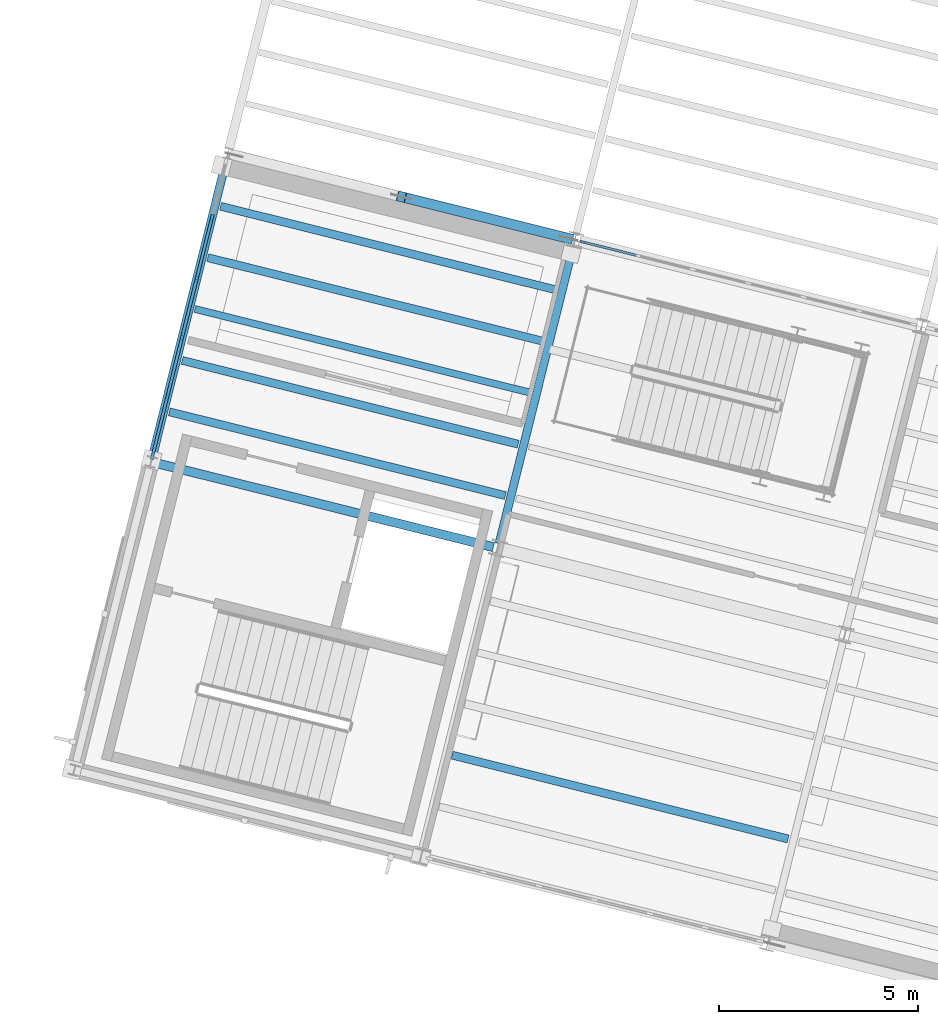
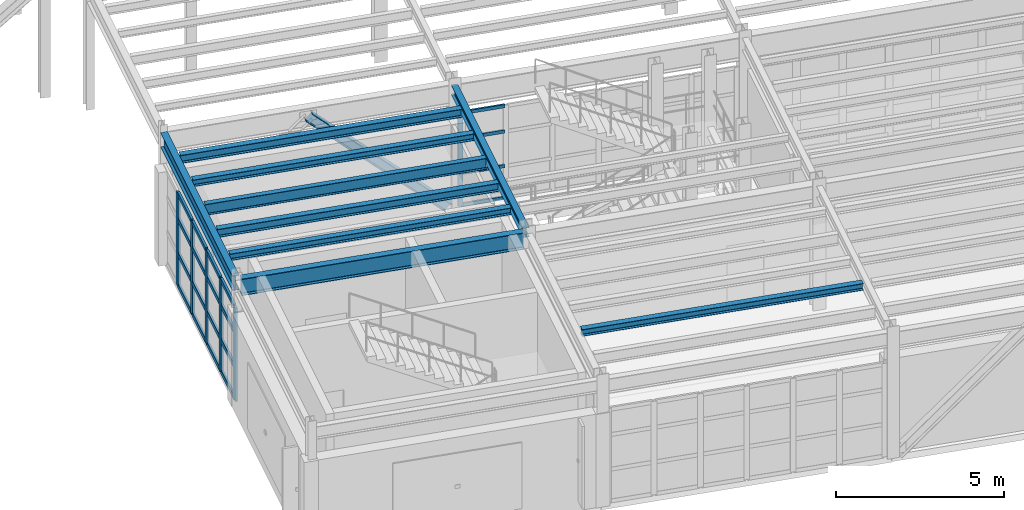
# One storey, part 29 of 109: 27 members, 9 beams, 2 elements without a shape of their own.
"""IFC4 building model written with IfcOpenShell, lengths in metres."""

from ifc_helpers import new_model, si_unit, direction, frame, origin, origin_2d, place, context, subcontext, project, spatial, rectangle, i_section, extrude, material, layer, layer_set, material_profile, profile_set, type_object, element, aggregate, save


model = new_model("IFC4")

# Units and contexts
model_context = context("Model", 3, precision=1e-05, world=origin(), true_north=direction((0.0, 1.0)))
body_context = subcontext(model_context, "Body", "Model", "MODEL_VIEW")
ifc_project = project(units=[si_unit("LENGTHUNIT", "METRE"), si_unit("AREAUNIT", "SQUARE_METRE"), si_unit("VOLUMEUNIT", "CUBIC_METRE"), si_unit("PLANEANGLEUNIT", "RADIAN"), si_unit("MASSUNIT", "GRAM", prefix="KILO")], contexts=[model_context])

# Site, building, storey
site_placement = place(None, origin())
site = spatial("IfcSite", under=ifc_project, at=site_placement, CompositionType="ELEMENT")
building_placement = place(site_placement, origin())
building = spatial("IfcBuilding", under=site, at=building_placement, Name="Vireo Bluff Cable Station", CompositionType="ELEMENT")
storey_placement = place(building_placement, frame((0.0, 0.0, 4.800048828125)))
storey = spatial("IfcBuildingStorey", under=building, at=storey_placement, Name="L01", CompositionType="ELEMENT", Elevation=4.800048828125)

# Beam
ifc_material_1 = material(Name="Steel ASTM A992 Gr. 50", Category="steel")
ifc_material_profile_1 = material_profile(ifc_material_1, i_section(OverallWidth=0.2041015625, OverallDepth=0.35009765625, WebThickness=0.008544921875, FlangeThickness=0.01513671875, FilletRadius=0.010009765625, at=origin_2d()), Name="W14X48")
ifc_profile_set_1 = profile_set([ifc_material_profile_1], Name="Steel ASTM A992 Gr. 50")
beam_type_1 = type_object("IfcBeamType", Name="BM-W14X48", PredefinedType="BEAM", material=ifc_profile_set_1)
beam_1_placement = place(storey_placement, frame((64.697021484375, 43.701416015625, 4.364990234375), z_axis=(0.241935966891, 0.970292217801, 0.0), x_axis=(-0.970292217801, 0.241935966891, 0.0)))
element("IfcBeam", 1, at=beam_1_placement, inside=storey, type_object=beam_type_1, Name="V1 L01 beam 64", PredefinedType="BEAM", context=body_context, shape_type="SweptSolid", body=[
    extrude(i_section(OverallWidth=0.2041015625, OverallDepth=0.35009765625, WebThickness=0.008544921875, FlangeThickness=0.01513671875, FilletRadius=0.010009765625, at=origin_2d()), origin(), (0.0, 0.0, 1.0), 7.760009765625),
])

# Member
ifc_material_profile_2 = material_profile(ifc_material_1, i_section(OverallWidth=0.25390625, OverallDepth=0.31005859375, WebThickness=0.009033203125, FlangeThickness=0.016357421875, FilletRadius=0.010986328125, at=origin_2d()), Name="W12X58")
ifc_profile_set_2 = profile_set([ifc_material_profile_2], Name="Steel ASTM A992 Gr. 50")
member_type_1 = type_object("IfcMemberType", Name="BRC-05", PredefinedType="BRACE", material=ifc_profile_set_2)
member_1_placement = place(storey_placement, frame((66.4482421875, 51.38623046875, 0.0400390625), z_axis=(-0.702108887955, 0.175028594017, 0.690223225291), x_axis=(-0.241887009228, -0.970304423759, 0.0)))
element("IfcMember", 2, at=member_1_placement, inside=storey, type_object=member_type_1, Name="V1 L01 concentric brace 4R", PredefinedType="BRACE", context=body_context, shape_type="SweptSolid", body=[
    extrude(i_section(OverallWidth=0.25390625, OverallDepth=0.31005859375, WebThickness=0.009033203125, FlangeThickness=0.016357421875, FilletRadius=0.010986328125, at=origin_2d()), origin(), (0.0, 0.0, 1.0), 5.997802734375),
])

# Curtain wall, members
ifc_material_2 = material(Name="Anodized Aluminium 6063-T6", Category="aluminium")
ifc_layer_1 = layer(ifc_material_2, 0.179931640625, Name="Anodized Aluminium 6063-T6")
ifc_layer_set_1 = layer_set([ifc_layer_1], Name="Anodized Aluminium 6063-T6")
curtain_wall_type_1 = type_object("IfcCurtainWallType", Name="CW-UNIT-1650", PredefinedType="USERDEFINED", material=ifc_layer_set_1)
curtain_wall_1_placement = place(storey_placement, origin())
curtain_wall_1 = element("IfcCurtainWall", 3, at=curtain_wall_1_placement, inside=storey, type_object=curtain_wall_type_1, Name="V1 L01 west curtain wall CW-005", ObjectType="UNITISED CURTAIN WALL", PredefinedType="USERDEFINED")
ifc_material_profile_3 = material_profile(ifc_material_2, rectangle(XDim=0.074951171875, YDim=0.2099609375, at=origin_2d()), Name="ALU-M-75X210")
ifc_profile_set_3 = profile_set([ifc_material_profile_3], Name="Anodized Aluminium 6063-T6")
member_type_2 = type_object("IfcMemberType", Name="CWM-02", PredefinedType="MULLION", material=ifc_profile_set_3)
member_2_placement = place(storey_placement, frame((55.975830078125, 45.9248046875, 0.0), z_axis=(0.0, 0.0, 1.0), x_axis=(-0.970295713157, 0.241921948216, 0.0)))
member_2 = element("IfcMember", 4, at=member_2_placement, type_object=member_type_2, Name="CW-005 mullion 1", PredefinedType="MULLION", context=body_context, shape_type="SweptSolid", body=[
    extrude(rectangle(XDim=0.074951171875, YDim=0.2099609375, at=origin_2d()), origin(), (0.0, 0.0, 1.0), 3.39990234375),
])
member_3_placement = place(storey_placement, frame((56.34130859375, 47.390380859375, 0.0), z_axis=(0.0, 0.0, 1.0), x_axis=(-0.970295713157, 0.241921948216, 0.0)))
member_3 = element("IfcMember", 5, at=member_3_placement, type_object=member_type_2, Name="CW-005 mullion 2", PredefinedType="MULLION", context=body_context, shape_type="SweptSolid", body=[
    extrude(rectangle(XDim=0.074951171875, YDim=0.2099609375, at=origin_2d()), origin(), (0.0, 0.0, 1.0), 3.39990234375),
])
member_4_placement = place(storey_placement, frame((56.7158203125, 48.892333984375, 0.0), z_axis=(0.0, 0.0, 1.0), x_axis=(-0.970295713157, 0.241921948216, 0.0)))
member_4 = element("IfcMember", 6, at=member_4_placement, type_object=member_type_2, Name="CW-005 mullion 3", PredefinedType="MULLION", context=body_context, shape_type="SweptSolid", body=[
    extrude(rectangle(XDim=0.074951171875, YDim=0.2099609375, at=origin_2d()), origin(), (0.0, 0.0, 1.0), 3.39990234375),
])
member_5_placement = place(storey_placement, frame((57.09033203125, 50.394287109375, 0.0), z_axis=(0.0, 0.0, 1.0), x_axis=(-0.970295713157, 0.241921948216, 0.0)))
member_5 = element("IfcMember", 7, at=member_5_placement, type_object=member_type_2, Name="CW-005 mullion 4", PredefinedType="MULLION", context=body_context, shape_type="SweptSolid", body=[
    extrude(rectangle(XDim=0.074951171875, YDim=0.2099609375, at=origin_2d()), origin(), (0.0, 0.0, 1.0), 3.39990234375),
])
member_6_placement = place(storey_placement, frame((57.464599609375, 51.896240234375, 0.0), z_axis=(0.0, 0.0, 1.0), x_axis=(-0.970295713157, 0.241921948216, 0.0)))
member_6 = element("IfcMember", 8, at=member_6_placement, type_object=member_type_2, Name="CW-005 mullion 5", PredefinedType="MULLION", context=body_context, shape_type="SweptSolid", body=[
    extrude(rectangle(XDim=0.074951171875, YDim=0.2099609375, at=origin_2d()), origin(), (0.0, 0.0, 1.0), 3.39990234375),
])

# Curtain wall, member
ifc_layer_2 = layer(ifc_material_2, 0.179931640625, Name="Anodized Aluminium 6063-T6")
ifc_layer_set_2 = layer_set([ifc_layer_2], Name="Anodized Aluminium 6063-T6")
curtain_wall_type_2 = type_object("IfcCurtainWallType", Name="CW-UNIT-1400", PredefinedType="USERDEFINED", material=ifc_layer_set_2)
curtain_wall_2_placement = place(storey_placement, origin())
curtain_wall_2 = element("IfcCurtainWall", 9, at=curtain_wall_2_placement, inside=storey, type_object=curtain_wall_type_2, Name="V1 L01 north curtain wall CW-006", ObjectType="UNITISED CURTAIN WALL", PredefinedType="USERDEFINED")
ifc_material_profile_4 = material_profile(ifc_material_2, rectangle(XDim=0.06005859375, YDim=0.159912109375, at=origin_2d()), Name="ALU-M-60X160")
ifc_profile_set_4 = profile_set([ifc_material_profile_4], Name="Anodized Aluminium 6063-T6")
member_type_3 = type_object("IfcMemberType", Name="CWM-03", PredefinedType="MULLION", material=ifc_profile_set_4)
member_7_placement = place(storey_placement, frame((66.81396484375, 51.294921875, 0.0), z_axis=(0.0, 0.0, 1.0), x_axis=(0.241921864202, 0.970295734104, 0.0)))
member_7 = element("IfcMember", 10, at=member_7_placement, type_object=member_type_3, Name="CW-006 mullion 1", PredefinedType="MULLION", context=body_context, shape_type="SweptSolid", body=[
    extrude(rectangle(XDim=0.06005859375, YDim=0.159912109375, at=origin_2d()), origin(), (0.0, 0.0, 1.0), 3.39990234375),
])

# Member
ifc_material_profile_5 = material_profile(ifc_material_2, rectangle(XDim=0.074951171875, YDim=0.159912109375, at=origin_2d()), Name="ALU-T-75X160")
ifc_profile_set_5 = profile_set([ifc_material_profile_5], Name="Anodized Aluminium 6063-T6")
member_type_4 = type_object("IfcMemberType", Name="CWT-02", PredefinedType="USERDEFINED", material=ifc_profile_set_5)
member_8_placement = place(storey_placement, frame((55.98486328125, 45.961181640625, 0.037353515625), z_axis=(0.24201536368, 0.970272417284, 0.0), x_axis=(-0.970272417284, 0.24201536368, 0.0)))
member_8 = element("IfcMember", 11, at=member_8_placement, type_object=member_type_4, Name="CW-005 transom 1.1", ObjectType="TRANSOM", PredefinedType="USERDEFINED", context=body_context, shape_type="SweptSolid", body=[
    extrude(rectangle(XDim=0.074951171875, YDim=0.159912109375, at=origin_2d()), origin(), (0.0, 0.0, 1.0), 1.435546875),
])

member_9_placement = place(storey_placement, frame((55.98486328125, 45.961181640625, 1.18994140625), z_axis=(0.24201536368, 0.970272417284, 0.0), x_axis=(-0.970272417284, 0.24201536368, 0.0)))
member_9 = element("IfcMember", 12, at=member_9_placement, type_object=member_type_4, Name="CW-005 transom 1.2", ObjectType="TRANSOM", PredefinedType="USERDEFINED", context=body_context, shape_type="SweptSolid", body=[
    extrude(rectangle(XDim=0.074951171875, YDim=0.159912109375, at=origin_2d()), origin(), (0.0, 0.0, 1.0), 1.435546875),
])

member_10_placement = place(storey_placement, frame((55.98486328125, 45.961181640625, 2.447998046875), z_axis=(0.24201536368, 0.970272417284, 0.0), x_axis=(-0.970272417284, 0.24201536368, 0.0)))
member_10 = element("IfcMember", 13, at=member_10_placement, type_object=member_type_4, Name="CW-005 transom 1.3", ObjectType="TRANSOM", PredefinedType="USERDEFINED", context=body_context, shape_type="SweptSolid", body=[
    extrude(rectangle(XDim=0.074951171875, YDim=0.159912109375, at=origin_2d()), origin(), (0.0, 0.0, 1.0), 1.435546875),
])

member_11_placement = place(storey_placement, frame((55.98486328125, 45.961181640625, 3.362548828125), z_axis=(0.24201536368, 0.970272417284, 0.0), x_axis=(-0.970272417284, 0.24201536368, 0.0)))
member_11 = element("IfcMember", 14, at=member_11_placement, type_object=member_type_4, Name="CW-005 transom 1.4", ObjectType="TRANSOM", PredefinedType="USERDEFINED", context=body_context, shape_type="SweptSolid", body=[
    extrude(rectangle(XDim=0.074951171875, YDim=0.159912109375, at=origin_2d()), origin(), (0.0, 0.0, 1.0), 1.435546875),
])

member_12_placement = place(storey_placement, frame((56.350341796875, 47.4267578125, 0.037353515625), z_axis=(0.241989598813, 0.97027884346, 0.0), x_axis=(-0.97027884346, 0.241989598813, 0.0)))
member_12 = element("IfcMember", 15, at=member_12_placement, type_object=member_type_4, Name="CW-005 transom 2.1", ObjectType="TRANSOM", PredefinedType="USERDEFINED", context=body_context, shape_type="SweptSolid", body=[
    extrude(rectangle(XDim=0.074951171875, YDim=0.159912109375, at=origin_2d()), origin(), (0.0, 0.0, 1.0), 1.472900390625),
])

member_13_placement = place(storey_placement, frame((56.350341796875, 47.4267578125, 1.18994140625), z_axis=(0.241989598813, 0.97027884346, 0.0), x_axis=(-0.97027884346, 0.241989598813, 0.0)))
member_13 = element("IfcMember", 16, at=member_13_placement, type_object=member_type_4, Name="CW-005 transom 2.2", ObjectType="TRANSOM", PredefinedType="USERDEFINED", context=body_context, shape_type="SweptSolid", body=[
    extrude(rectangle(XDim=0.074951171875, YDim=0.159912109375, at=origin_2d()), origin(), (0.0, 0.0, 1.0), 1.472900390625),
])

member_14_placement = place(storey_placement, frame((56.350341796875, 47.4267578125, 2.447998046875), z_axis=(0.241989598813, 0.97027884346, 0.0), x_axis=(-0.97027884346, 0.241989598813, 0.0)))
member_14 = element("IfcMember", 17, at=member_14_placement, type_object=member_type_4, Name="CW-005 transom 2.3", ObjectType="TRANSOM", PredefinedType="USERDEFINED", context=body_context, shape_type="SweptSolid", body=[
    extrude(rectangle(XDim=0.074951171875, YDim=0.159912109375, at=origin_2d()), origin(), (0.0, 0.0, 1.0), 1.472900390625),
])

member_15_placement = place(storey_placement, frame((56.350341796875, 47.4267578125, 3.362548828125), z_axis=(0.241989598813, 0.97027884346, 0.0), x_axis=(-0.97027884346, 0.241989598813, 0.0)))
member_15 = element("IfcMember", 18, at=member_15_placement, type_object=member_type_4, Name="CW-005 transom 2.4", ObjectType="TRANSOM", PredefinedType="USERDEFINED", context=body_context, shape_type="SweptSolid", body=[
    extrude(rectangle(XDim=0.074951171875, YDim=0.159912109375, at=origin_2d()), origin(), (0.0, 0.0, 1.0), 1.472900390625),
])

member_16_placement = place(storey_placement, frame((56.724853515625, 48.9287109375, 0.037353515625), z_axis=(0.241833549058, 0.970317749271, 0.0), x_axis=(-0.970317749271, 0.241833549058, 0.0)))
member_16 = element("IfcMember", 19, at=member_16_placement, type_object=member_type_4, Name="CW-005 transom 3.1", ObjectType="TRANSOM", PredefinedType="USERDEFINED", context=body_context, shape_type="SweptSolid", body=[
    extrude(rectangle(XDim=0.074951171875, YDim=0.159912109375, at=origin_2d()), origin(), (0.0, 0.0, 1.0), 1.472900390625),
])

member_17_placement = place(storey_placement, frame((56.724853515625, 48.9287109375, 1.18994140625), z_axis=(0.241833549058, 0.970317749271, 0.0), x_axis=(-0.970317749271, 0.241833549058, 0.0)))
member_17 = element("IfcMember", 20, at=member_17_placement, type_object=member_type_4, Name="CW-005 transom 3.2", ObjectType="TRANSOM", PredefinedType="USERDEFINED", context=body_context, shape_type="SweptSolid", body=[
    extrude(rectangle(XDim=0.074951171875, YDim=0.159912109375, at=origin_2d()), origin(), (0.0, 0.0, 1.0), 1.472900390625),
])

member_18_placement = place(storey_placement, frame((56.724853515625, 48.9287109375, 2.447998046875), z_axis=(0.241833549058, 0.970317749271, 0.0), x_axis=(-0.970317749271, 0.241833549058, 0.0)))
member_18 = element("IfcMember", 21, at=member_18_placement, type_object=member_type_4, Name="CW-005 transom 3.3", ObjectType="TRANSOM", PredefinedType="USERDEFINED", context=body_context, shape_type="SweptSolid", body=[
    extrude(rectangle(XDim=0.074951171875, YDim=0.159912109375, at=origin_2d()), origin(), (0.0, 0.0, 1.0), 1.472900390625),
])

member_19_placement = place(storey_placement, frame((56.724853515625, 48.9287109375, 3.362548828125), z_axis=(0.241833549058, 0.970317749271, 0.0), x_axis=(-0.970317749271, 0.241833549058, 0.0)))
member_19 = element("IfcMember", 22, at=member_19_placement, type_object=member_type_4, Name="CW-005 transom 3.4", ObjectType="TRANSOM", PredefinedType="USERDEFINED", context=body_context, shape_type="SweptSolid", body=[
    extrude(rectangle(XDim=0.074951171875, YDim=0.159912109375, at=origin_2d()), origin(), (0.0, 0.0, 1.0), 1.472900390625),
])

member_20_placement = place(storey_placement, frame((57.099365234375, 50.4306640625, 0.037353515625), z_axis=(0.241833549058, 0.970317749271, 0.0), x_axis=(-0.970317749271, 0.241833549058, 0.0)))
member_20 = element("IfcMember", 23, at=member_20_placement, type_object=member_type_4, Name="CW-005 transom 4.1", ObjectType="TRANSOM", PredefinedType="USERDEFINED", context=body_context, shape_type="SweptSolid", body=[
    extrude(rectangle(XDim=0.074951171875, YDim=0.159912109375, at=origin_2d()), origin(), (0.0, 0.0, 1.0), 1.472900390625),
])

member_21_placement = place(storey_placement, frame((57.099365234375, 50.4306640625, 1.18994140625), z_axis=(0.241833549058, 0.970317749271, 0.0), x_axis=(-0.970317749271, 0.241833549058, 0.0)))
member_21 = element("IfcMember", 24, at=member_21_placement, type_object=member_type_4, Name="CW-005 transom 4.2", ObjectType="TRANSOM", PredefinedType="USERDEFINED", context=body_context, shape_type="SweptSolid", body=[
    extrude(rectangle(XDim=0.074951171875, YDim=0.159912109375, at=origin_2d()), origin(), (0.0, 0.0, 1.0), 1.472900390625),
])

member_22_placement = place(storey_placement, frame((57.099365234375, 50.4306640625, 2.447998046875), z_axis=(0.241833549058, 0.970317749271, 0.0), x_axis=(-0.970317749271, 0.241833549058, 0.0)))
member_22 = element("IfcMember", 25, at=member_22_placement, type_object=member_type_4, Name="CW-005 transom 4.3", ObjectType="TRANSOM", PredefinedType="USERDEFINED", context=body_context, shape_type="SweptSolid", body=[
    extrude(rectangle(XDim=0.074951171875, YDim=0.159912109375, at=origin_2d()), origin(), (0.0, 0.0, 1.0), 1.472900390625),
])

member_23_placement = place(storey_placement, frame((57.099365234375, 50.4306640625, 3.362548828125), z_axis=(0.241833549058, 0.970317749271, 0.0), x_axis=(-0.970317749271, 0.241833549058, 0.0)))
member_23 = element("IfcMember", 26, at=member_23_placement, type_object=member_type_4, Name="CW-005 transom 4.4", ObjectType="TRANSOM", PredefinedType="USERDEFINED", context=body_context, shape_type="SweptSolid", body=[
    extrude(rectangle(XDim=0.074951171875, YDim=0.159912109375, at=origin_2d()), origin(), (0.0, 0.0, 1.0), 1.472900390625),
])

aggregate(curtain_wall_1, [member_2, member_3, member_4, member_5, member_6, member_8, member_9, member_10, member_11, member_12, member_13, member_14, member_15, member_16, member_17, member_18, member_19, member_20, member_21, member_22, member_23])

ifc_material_profile_6 = material_profile(ifc_material_2, rectangle(XDim=0.06005859375, YDim=0.1201171875, at=origin_2d()), Name="ALU-T-60X120")
ifc_profile_set_6 = profile_set([ifc_material_profile_6], Name="Anodized Aluminium 6063-T6")
member_type_5 = type_object("IfcMemberType", Name="CWT-03", PredefinedType="USERDEFINED", material=ifc_profile_set_6)
member_24_placement = place(storey_placement, frame((66.843017578125, 51.28759765625, 0.030029296875), z_axis=(0.970312767416, -0.241853537061, 0.0), x_axis=(0.241853537061, 0.970312767416, 0.0)))
member_24 = element("IfcMember", 27, at=member_24_placement, type_object=member_type_5, Name="CW-006 transom 1.1", ObjectType="TRANSOM", PredefinedType="USERDEFINED", context=body_context, shape_type="SweptSolid", body=[
    extrude(rectangle(XDim=0.06005859375, YDim=0.1201171875, at=origin_2d()), origin(), (0.0, 0.0, 1.0), 1.34765625),
])

member_25_placement = place(storey_placement, frame((66.843017578125, 51.28759765625, 1.18994140625), z_axis=(0.970312767416, -0.241853537061, 0.0), x_axis=(0.241853537061, 0.970312767416, 0.0)))
member_25 = element("IfcMember", 28, at=member_25_placement, type_object=member_type_5, Name="CW-006 transom 1.2", ObjectType="TRANSOM", PredefinedType="USERDEFINED", context=body_context, shape_type="SweptSolid", body=[
    extrude(rectangle(XDim=0.06005859375, YDim=0.1201171875, at=origin_2d()), origin(), (0.0, 0.0, 1.0), 1.34765625),
])

member_26_placement = place(storey_placement, frame((66.843017578125, 51.28759765625, 2.447998046875), z_axis=(0.970312767416, -0.241853537061, 0.0), x_axis=(0.241853537061, 0.970312767416, 0.0)))
member_26 = element("IfcMember", 29, at=member_26_placement, type_object=member_type_5, Name="CW-006 transom 1.3", ObjectType="TRANSOM", PredefinedType="USERDEFINED", context=body_context, shape_type="SweptSolid", body=[
    extrude(rectangle(XDim=0.06005859375, YDim=0.1201171875, at=origin_2d()), origin(), (0.0, 0.0, 1.0), 1.34765625),
])

member_27_placement = place(storey_placement, frame((66.843017578125, 51.28759765625, 3.369873046875), z_axis=(0.970312767416, -0.241853537061, 0.0), x_axis=(0.241853537061, 0.970312767416, 0.0)))
member_27 = element("IfcMember", 30, at=member_27_placement, type_object=member_type_5, Name="CW-006 transom 1.4", ObjectType="TRANSOM", PredefinedType="USERDEFINED", context=body_context, shape_type="SweptSolid", body=[
    extrude(rectangle(XDim=0.06005859375, YDim=0.1201171875, at=origin_2d()), origin(), (0.0, 0.0, 1.0), 1.34765625),
])

aggregate(curtain_wall_2, [member_7, member_24, member_25, member_26, member_27])

# Beams
ifc_material_profile_7 = material_profile(ifc_material_1, i_section(OverallWidth=0.22802734375, OverallDepth=0.60693359375, WebThickness=0.01123046875, FlangeThickness=0.017333984375, FilletRadius=0.012939453125, at=origin_2d()), Name="W24X76")
ifc_profile_set_7 = profile_set([ifc_material_profile_7], Name="Steel ASTM A992 Gr. 50")
beam_type_2 = type_object("IfcBeamType", Name="GIR-W24X76", PredefinedType="USERDEFINED", material=ifc_profile_set_7)
beam_2_placement = place(storey_placement, frame((56.0517578125, 45.7333984375, 4.236572265625), z_axis=(0.970291502693, -0.241938834838, 0.0), x_axis=(0.241938834838, 0.970291502693, 0.0)))
element("IfcBeam", 31, at=beam_2_placement, inside=storey, type_object=beam_type_2, Name="V1 L01 girder 45", ObjectType="GIRDER", PredefinedType="USERDEFINED", context=body_context, shape_type="SweptSolid", body=[
    extrude(i_section(OverallWidth=0.22802734375, OverallDepth=0.60693359375, WebThickness=0.01123046875, FlangeThickness=0.017333984375, FilletRadius=0.012939453125, at=origin_2d()), origin(), (0.0, 0.0, 1.0), 8.760009765625),
])
ifc_material_profile_8 = material_profile(ifc_material_1, i_section(OverallWidth=0.201904296875, OverallDepth=0.2470703125, WebThickness=0.00732421875, FlangeThickness=0.010986328125, FilletRadius=0.009033203125, at=origin_2d()), Name="W10X33")
ifc_profile_set_8 = profile_set([ifc_material_profile_8], Name="Steel ASTM A992 Gr. 50")
beam_type_3 = type_object("IfcBeamType", Name="JST-W10X33", PredefinedType="JOIST", material=ifc_profile_set_8)
for number, where, z_axis, x_axis, name in (
    (32, (56.393798828125, 47.022216796875, 4.41650390625), (0.970293828661, -0.24192950639, 0.0), (0.24192950639, 0.970293828661, 0.0), "V1 L01 composite joist 78"),
    (33, (57.361572265625, 50.9033203125, 4.41650390625), (0.970300400641, -0.241903146974, 0.0), (0.241903146974, 0.970300400641, 0.0), "V1 L01 composite joist 81"),
    (34, (63.513671875, 38.376220703125, 4.41650390625), (0.970300400641, -0.241903146974, 0.0), (0.241903146974, 0.970300400641, 0.0), "V1 L01 composite joist 89"),
):
    element("IfcBeam", number, at=place(storey_placement, frame(where, z_axis=z_axis, x_axis=x_axis)), inside=storey, type_object=beam_type_3, Name=name, PredefinedType="JOIST", context=body_context, shape_type="SweptSolid", body=[
        extrude(i_section(OverallWidth=0.201904296875, OverallDepth=0.2470703125, WebThickness=0.00732421875, FlangeThickness=0.010986328125, FilletRadius=0.009033203125, at=origin_2d()), origin(), (0.0, 0.0, 1.0), 8.719970703125),
    ])
ifc_material_profile_9 = material_profile(ifc_material_1, i_section(OverallWidth=0.202880859375, OverallDepth=0.302978515625, WebThickness=0.007568359375, FlangeThickness=0.01318359375, FilletRadius=0.010009765625, at=origin_2d()), Name="W12X40")
ifc_profile_set_9 = profile_set([ifc_material_profile_9], Name="Steel ASTM A992 Gr. 50")
beam_type_4 = type_object("IfcBeamType", Name="JST-W12X40", PredefinedType="JOIST", material=ifc_profile_set_9)
for number, where, z_axis, x_axis, name in (
    (35, (56.71630859375, 48.31591796875, 4.388427734375), (0.970293828661, -0.24192950639, 0.0), (0.24192950639, 0.970293828661, 0.0), "V1 L01 composite joist 79"),
    (36, (57.68408203125, 52.197021484375, 4.388427734375), (0.970300400641, -0.241903146974, 0.0), (0.241903146974, 0.970300400641, 0.0), "V1 L01 composite joist 82"),
):
    element("IfcBeam", number, at=place(storey_placement, frame(where, z_axis=z_axis, x_axis=x_axis)), inside=storey, type_object=beam_type_4, Name=name, PredefinedType="JOIST", context=body_context, shape_type="SweptSolid", body=[
        extrude(i_section(OverallWidth=0.202880859375, OverallDepth=0.302978515625, WebThickness=0.007568359375, FlangeThickness=0.01318359375, FilletRadius=0.010009765625, at=origin_2d()), origin(), (0.0, 0.0, 1.0), 8.719970703125),
    ])
ifc_material_profile_10 = material_profile(ifc_material_1, i_section(OverallWidth=0.177978515625, OverallDepth=0.404052734375, WebThickness=0.007568359375, FlangeThickness=0.010986328125, FilletRadius=0.010009765625, at=origin_2d()), Name="W16X36")
ifc_profile_set_10 = profile_set([ifc_material_profile_10], Name="Steel ASTM A992 Gr. 50")
beam_type_5 = type_object("IfcBeamType", Name="JST-W16X36", PredefinedType="JOIST", material=ifc_profile_set_10)
beam_3_placement = place(storey_placement, frame((57.038818359375, 49.609619140625, 4.337890625), z_axis=(0.970295467306, -0.24192293427, 0.0), x_axis=(0.24192293427, 0.970295467306, 0.0)))
element("IfcBeam", 37, at=beam_3_placement, inside=storey, type_object=beam_type_5, Name="V1 L01 composite joist 80", PredefinedType="JOIST", context=body_context, shape_type="SweptSolid", body=[
    extrude(i_section(OverallWidth=0.177978515625, OverallDepth=0.404052734375, WebThickness=0.007568359375, FlangeThickness=0.010986328125, FilletRadius=0.010009765625, at=origin_2d()), origin(), (0.0, 0.0, 1.0), 8.72021484375),
])
ifc_material_profile_11 = material_profile(ifc_material_1, i_section(OverallWidth=0.2099609375, OverallDepth=0.535888671875, WebThickness=0.010986328125, FlangeThickness=0.017333984375, FilletRadius=0.012939453125, at=origin_2d()), Name="W21X68")
ifc_profile_set_11 = profile_set([ifc_material_profile_11], Name="Steel ASTM A992 Gr. 50")
beam_type_6 = type_object("IfcBeamType", Name="SPN-W21X68", PredefinedType="SPANDREL", material=ifc_profile_set_11)
beam_4_placement = place(storey_placement, frame((55.96435546875, 45.87890625, 4.27197265625), z_axis=(0.241943352562, 0.970290376203, 0.0), x_axis=(-0.970290376203, 0.241943352562, 0.0)))
element("IfcBeam", 38, at=beam_4_placement, inside=storey, type_object=beam_type_6, Name="V1 L01 spandrel 61", PredefinedType="SPANDREL", context=body_context, shape_type="SweptSolid", body=[
    extrude(i_section(OverallWidth=0.2099609375, OverallDepth=0.535888671875, WebThickness=0.010986328125, FlangeThickness=0.017333984375, FilletRadius=0.012939453125, at=origin_2d()), origin(), (0.0, 0.0, 1.0), 7.759765625),
])

save(model, "model.ifc")
